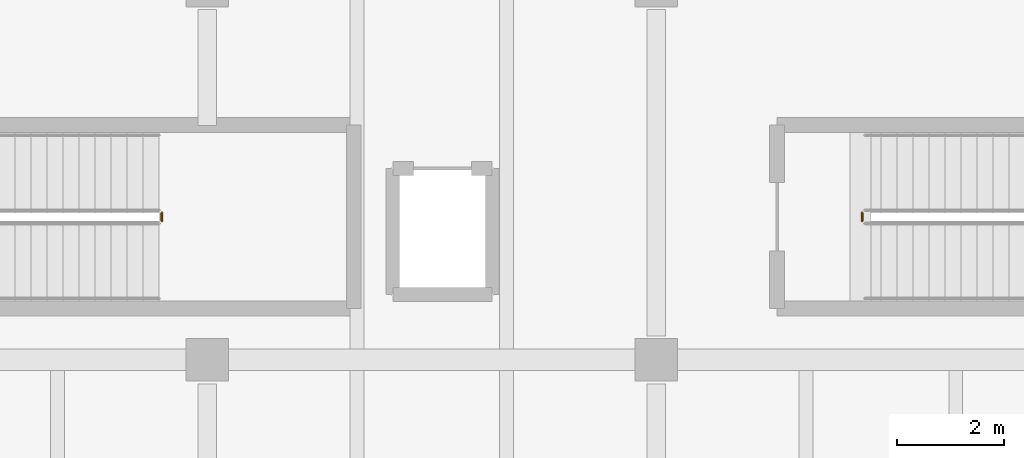
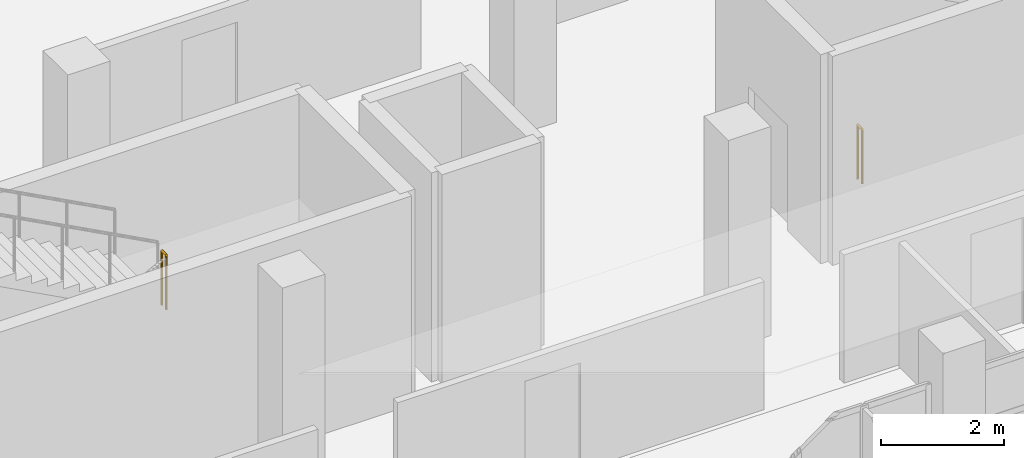
# One storey, part 161 of 177: 2 railings.
"""IFC4 building model written with IfcOpenShell, lengths in metres."""

from ifc_helpers import new_model, si_unit, direction, frame, origin, origin_2d, place, context, subcontext, project, spatial, circle, extrude, material, type_object, element, save


model = new_model("IFC4")

# Units and contexts
model_context = context("Model", 3, precision=1e-05, world=origin(), true_north=direction((0.0, 1.0)))
body_context = subcontext(model_context, "Body", "Model", "MODEL_VIEW")
ifc_project = project(units=[si_unit("LENGTHUNIT", "METRE"), si_unit("AREAUNIT", "SQUARE_METRE"), si_unit("VOLUMEUNIT", "CUBIC_METRE"), si_unit("PLANEANGLEUNIT", "RADIAN"), si_unit("MASSUNIT", "GRAM", prefix="KILO"), si_unit("THERMODYNAMICTEMPERATUREUNIT", "KELVIN"), si_unit("POWERUNIT", "WATT")], contexts=[model_context])

# Site, building, storey
site_placement = place(None, origin())
site = spatial("IfcSite", under=ifc_project, at=site_placement, CompositionType="ELEMENT")
building_placement = place(site_placement, origin())
building = spatial("IfcBuilding", under=site, at=building_placement, Name="Mavoryth Pier Ferry Terminal", CompositionType="ELEMENT")
storey_placement = place(building_placement, frame((0.0, 0.0, 5.43994140625)))
storey = spatial("IfcBuildingStorey", under=building, at=storey_placement, Name="L01", CompositionType="ELEMENT", Elevation=5.43994140625)

# Railings
ifc_material = material(Name="Painted Galvanised Steel Balustrade", Category="steel")
railing_type = type_object("IfcRailingType", Name="Guard-Stair-Steel1100", PredefinedType="GUARDRAIL", material=ifc_material)
for number, where, name in (
    (1, (49.550048828125, 9.60009765625, 2.080078125), "L01 ST11 stair guard 2"),
    (2, (62.64990234375, 9.60009765625, 0.0), "L01 ST12 stair guard 4"),
):
    element("IfcRailing", number, at=place(storey_placement, frame(where)), inside=storey, type_object=railing_type, Name=name, PredefinedType="GUARDRAIL", context=body_context, shape_type="SweptSolid", body=[
        extrude(circle(Radius=0.02392578125, at=origin_2d()), frame((0.0, 0.0, 1.076171875), z_axis=(0.0, 1.0, 0.0), x_axis=(-1.0, 0.0, 0.0)), (0.0, 0.0, 1.0), 0.14990234375),
        extrude(circle(Radius=0.02099609375, at=origin_2d()), origin(), (0.0, 0.0, 1.0), 1.052001953125),
        extrude(circle(Radius=0.02099609375, at=origin_2d()), frame((0.0, 0.14990234375, 0.0)), (0.0, 0.0, 1.0), 1.052001953125),
    ])

save(model, "model.ifc")
